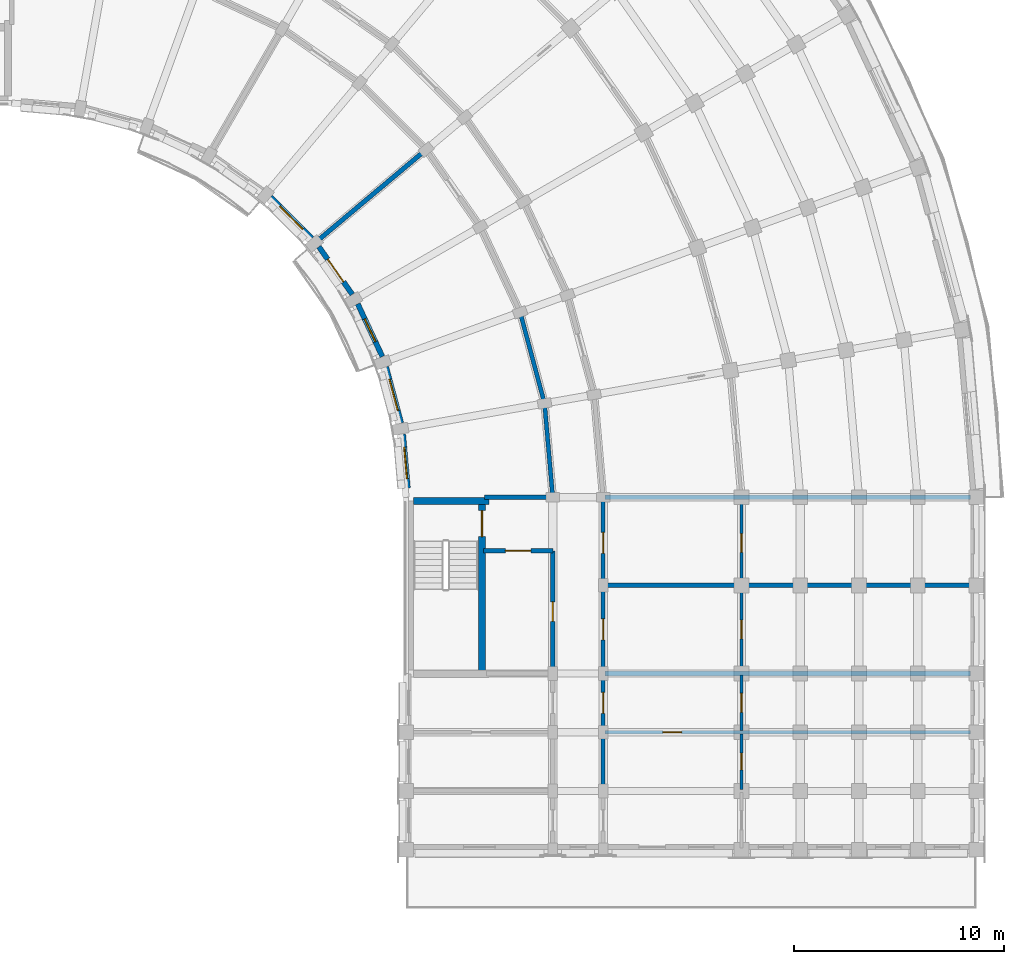
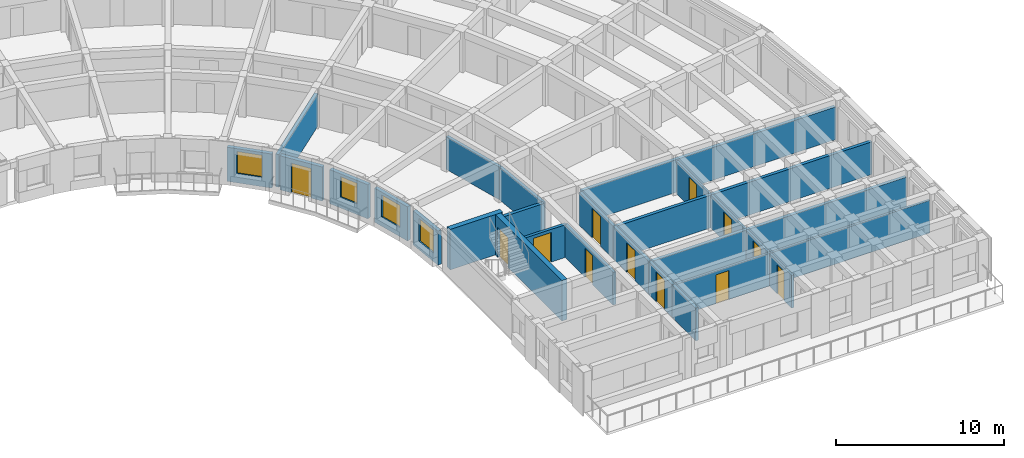
# One storey, part 34 of 54: 25 walls, 12 doors, 4 windows, 16 openings.
"""IFC4 building model written with IfcOpenShell, lengths in metres."""

import ifcopenshell
import ifcopenshell.guid

model = None  # the IFC model being written
_history = None  # IfcOwnerHistory: only IFC2X3 demands one
_inside = {}  # id of a spatial element -> (the spatial element, [elements in it])
_under = {}  # id of a project, library or spatial element -> (it, [spatial elements below it])
_declared = {}  # id of a project -> (the project, [libraries it declares])
_typed = {}  # id of a type object -> (the type object, [elements of that type])
_made_of = {}  # id of a material, layer set ... -> (it, [elements and type objects made of it])


def new_model(schema):
    """Start an empty IFC model of exactly this schema.

    Asked for "IFC4X3", IfcOpenShell would pick the latest addendum, in which some entities
    have other attributes; the version numbers below select the first issue.
    IFC2X3 requires an IfcOwnerHistory on every rooted entity: one is made here for all.
    """
    global model, _history
    if schema == "IFC4X3":
        model = ifcopenshell.file(schema_version=(4, 3, 0, 0))
    else:
        model = ifcopenshell.file(schema=schema)
    _inside.clear()
    _under.clear()
    _declared.clear()
    _typed.clear()
    _made_of.clear()
    _history = None
    if model.schema == "IFC2X3":
        org = make("IfcOrganization", Name="unknown")
        user = make(
            "IfcPersonAndOrganization",
            ThePerson=make("IfcPerson", FamilyName="unknown"),
            TheOrganization=org,
        )
        app = make(
            "IfcApplication",
            ApplicationDeveloper=org,
            Version="unknown",
            ApplicationFullName="unknown",
            ApplicationIdentifier="unknown",
        )
        _history = make(
            "IfcOwnerHistory",
            OwningUser=user,
            OwningApplication=app,
            ChangeAction="ADDED",
            CreationDate=0,
        )
    return model


def make(cls, **values):
    """One entity of the class cls with the attributes given. An attribute that is None is left unset."""
    return model.create_entity(
        cls, **{name: value for name, value in values.items() if value is not None}
    )


def rooted(cls, **values):
    """An entity with a GlobalId (a new one), such as an element, a storey or a relation."""
    return make(cls, GlobalId=ifcopenshell.guid.new(), OwnerHistory=_history, **values)


def si_unit(unit_type, name, prefix=None):
    """IfcSIUnit, for example si_unit("LENGTHUNIT", "METRE", prefix="MILLI")."""
    return make("IfcSIUnit", UnitType=unit_type, Prefix=prefix, Name=name)


def assignment(units):
    """IfcUnitAssignment: the units of a project."""
    return None if units is None else make("IfcUnitAssignment", Units=units)


def point(xyz):
    """IfcCartesianPoint."""
    return None if xyz is None else make("IfcCartesianPoint", Coordinates=xyz)


def direction(xyz):
    """IfcDirection."""
    return None if xyz is None else make("IfcDirection", DirectionRatios=xyz)


def frame(location, z_axis=None, x_axis=None):
    """IfcAxis2Placement3D, a coordinate frame: its origin and axes. An axis left out is left unset."""
    return make(
        "IfcAxis2Placement3D",
        Location=point(location),
        Axis=direction(z_axis),
        RefDirection=direction(x_axis),
    )


def frame_2d(location, x_axis=None):
    """IfcAxis2Placement2D, a coordinate frame in the plane: its origin and x axis."""
    return make(
        "IfcAxis2Placement2D", Location=point(location), RefDirection=direction(x_axis)
    )


def origin():
    """The frame at (0, 0, 0) with its axes left unset."""
    return frame((0.0, 0.0, 0.0))


def place(relative_to, where):
    """IfcLocalPlacement: puts the frame where relative to a parent placement (None: the world)."""
    return make(
        "IfcLocalPlacement", PlacementRelTo=relative_to, RelativePlacement=where
    )


def context(
    kind, dimensions, precision=None, world=None, true_north=None, identifier=None
):
    """IfcGeometricRepresentationContext, for example the 3D "Model" context."""
    return make(
        "IfcGeometricRepresentationContext",
        ContextIdentifier=identifier,
        ContextType=kind,
        CoordinateSpaceDimension=dimensions,
        Precision=precision,
        WorldCoordinateSystem=world,
        TrueNorth=true_north,
    )


def subcontext(parent, identifier, kind, view, scale=None):
    """IfcGeometricRepresentationSubContext, for example "Body" below "Model"."""
    return make(
        "IfcGeometricRepresentationSubContext",
        ContextIdentifier=identifier,
        ContextType=kind,
        ParentContext=parent,
        TargetScale=scale,
        TargetView=view,
    )


def project(units=None, contexts=None):
    """IfcProject with its units and contexts."""
    return rooted(
        "IfcProject",
        Name="project",
        RepresentationContexts=contexts,
        UnitsInContext=assignment(units),
    )


def spatial(cls, under=None, at=None, **own):
    """A site, building, storey or space (cls), placed at a placement, below another one or the project."""
    s = rooted(cls, ObjectPlacement=at, **own)
    if under is not None:
        _under.setdefault(under.id(), (under, []))[1].append(s)
    return s


def profile(cls, at=None, kind="AREA", **sizes):
    """A parametric profile (cls). Its sizes go by their IFC names, for example OverallWidth=200.0."""
    return make(cls, ProfileType=kind, Position=at, **sizes)


def rectangle(**sizes):
    """IfcRectangleProfileDef."""
    return profile("IfcRectangleProfileDef", **sizes)


def extrude(swept, where, along, depth):
    """IfcExtrudedAreaSolid: the profile swept, set in the frame where, extruded along a direction by depth."""
    return make(
        "IfcExtrudedAreaSolid",
        SweptArea=swept,
        Position=where,
        ExtrudedDirection=direction(along),
        Depth=depth,
    )


def shape(context_of_items, identifier, shape_type, items):
    """IfcShapeRepresentation: the items that make up one representation, for example the "Body"."""
    return make(
        "IfcShapeRepresentation",
        ContextOfItems=context_of_items,
        RepresentationIdentifier=identifier,
        RepresentationType=shape_type,
        Items=items,
    )


def material(Name=None, Category=None):
    """IfcMaterial."""
    return make("IfcMaterial", Name=Name, Category=Category)


def layer(
    of_material, thickness, ventilated=None, Name=None, Category=None, Priority=None
):
    """IfcMaterialLayer: one layer of a wall or slab, of a material (None: an air gap)."""
    return make(
        "IfcMaterialLayer",
        Material=of_material,
        LayerThickness=thickness,
        IsVentilated=ventilated,
        Name=Name,
        Category=Category,
        Priority=Priority,
    )


def layer_set(layers, Name=None):
    """IfcMaterialLayerSet."""
    return make("IfcMaterialLayerSet", MaterialLayers=layers, LayerSetName=Name)


def made_of(thing, what):
    """Note that an element or type object is made of a material, layer set ...; save() writes the relation."""
    if what is not None:
        _made_of.setdefault(what.id(), (what, []))[1].append(thing)
    return thing


def type_object(cls, material=None, **own):
    """A type object (cls), such as IfcWallType, which elements share."""
    return made_of(rooted(cls, **own), material)


def element(
    cls,
    number,
    at=None,
    inside=None,
    cuts=None,
    type_object=None,
    material=None,
    context=None,
    identifier="Body",
    shape_type=None,
    held_by="IfcProductDefinitionShape",
    body=None,
    shapes=None,
    **own,
):
    """One element of the class cls, such as IfcWall. Its Tag is "e" and its number.

    at: its placement. inside: the storey or other place that contains it. cuts: it is an
    opening in that element (IfcRelVoidsElement). A single representation is given by context,
    identifier, shape_type and body (its items); several are given by shapes. held_by: the class
    of the entity that holds the representations. save() writes the other relations.
    """
    e = rooted(cls, Tag="e%d" % number, ObjectPlacement=at, **own)
    if body is not None:
        shapes = [shape(context, identifier, shape_type, body)]
    if shapes is not None:
        e.Representation = make(held_by, Representations=shapes)
    if inside is not None:
        _inside.setdefault(inside.id(), (inside, []))[1].append(e)
    if cuts is not None:
        rooted(
            "IfcRelVoidsElement", RelatingBuildingElement=cuts, RelatedOpeningElement=e
        )
    if type_object is not None:
        _typed.setdefault(type_object.id(), (type_object, []))[1].append(e)
    return made_of(e, material)


def fill(opening, filler):
    """IfcRelFillsElement: the door or window that sits in an opening."""
    return rooted(
        "IfcRelFillsElement",
        RelatingOpeningElement=opening,
        RelatedBuildingElement=filler,
    )


def aggregate(whole, parts):
    """IfcRelAggregates: a whole, such as a stair, and the parts it consists of."""
    return rooted("IfcRelAggregates", RelatingObject=whole, RelatedObjects=parts)


def save(model, path):
    """Write the relations noted so far, then the file.

    IfcRelAggregates (storeys below a building ...), IfcRelContainedInSpatialStructure (elements
    in a storey), IfcRelDefinesByType, IfcRelAssociatesMaterial and IfcRelDeclares: one each for
    every whole, place, type object, material and project.
    """
    for whole, parts in _under.values():
        aggregate(whole, parts)
    for where, things in _inside.values():
        rooted(
            "IfcRelContainedInSpatialStructure",
            RelatedElements=things,
            RelatingStructure=where,
        )
    for kind, things in _typed.values():
        rooted("IfcRelDefinesByType", RelatedObjects=things, RelatingType=kind)
    for what, things in _made_of.values():
        rooted("IfcRelAssociatesMaterial", RelatedObjects=things, RelatingMaterial=what)
    for by, libraries in _declared.values():
        rooted("IfcRelDeclares", RelatingContext=by, RelatedDefinitions=libraries)
    model.write(path)


model = new_model("IFC4")

# Units and contexts
model_context = context("Model", 3, precision=1e-05, world=origin(), true_north=direction((0.0, 1.0)))
body_context = subcontext(model_context, "Body", "Model", "MODEL_VIEW")
ifc_project = project(units=[si_unit("LENGTHUNIT", "METRE"), si_unit("AREAUNIT", "SQUARE_METRE"), si_unit("VOLUMEUNIT", "CUBIC_METRE"), si_unit("PLANEANGLEUNIT", "RADIAN"), si_unit("MASSUNIT", "GRAM", prefix="KILO")], contexts=[model_context])

# Site, building, storey
site_placement = place(None, origin())
site = spatial("IfcSite", under=ifc_project, at=site_placement, CompositionType="ELEMENT")
building_placement = place(site_placement, origin())
building = spatial("IfcBuilding", under=site, at=building_placement, Name="Kiranvali Square Residences", CompositionType="ELEMENT")
storey_placement = place(building_placement, frame((0.0, 0.0, 27.60009765625)))
storey = spatial("IfcBuildingStorey", under=building, at=storey_placement, Name="L08", CompositionType="ELEMENT", Elevation=27.60009765625)

# Wall, opening, door
ifc_material_1 = material(Name="Autoclaved aerated concrete blockwork masonry", Category="masonry")
ifc_layer_1 = layer(ifc_material_1, 0.199951171875)
ifc_layer_set_1 = layer_set([ifc_layer_1], Name="Autoclaved aerated concrete blockwork masonry")
wall_type_1 = type_object("IfcWallType", Name="WL-COR-200", PredefinedType="STANDARD", material=ifc_layer_set_1)
wall_1_placement = place(storey_placement, frame((142.300048828125, 85.25, 0.0), z_axis=(0.0, 0.0, 1.0), x_axis=(1.0, 0.0, 0.0)))
wall_1 = element("IfcWall", 1, at=wall_1_placement, inside=storey, type_object=wall_type_1, Name="L08 architectural wall WL-L08-B-S3-V", PredefinedType="STANDARD", context=body_context, shape_type="SweptSolid", body=[
    extrude(rectangle(XDim=3.300048828125, YDim=0.199951171875, at=frame_2d((1.64990234375, 0.0))), origin(), (0.0, 0.0, 1.0), 2.371826171875),
])
opening_1_placement = place(wall_1_placement, frame((1.0400390625, 0.0, 0.0)))
opening_1 = element("IfcOpeningElement", 2, at=opening_1_placement, cuts=wall_1, Name="Opening FD-COR-60", PredefinedType="OPENING", context=body_context, shape_type="SweptSolid", body=[
    extrude(rectangle(XDim=1.219970703125, YDim=2.14990234375, at=frame_2d((0.60986328125, 1.074951171875))), frame((0.0, 0.10986328125, 0.0), z_axis=(0.0, -1.0, 0.0), x_axis=(1.0, 0.0, 0.0)), (0.0, 0.0, 1.0), 0.219970703125),
])
ifc_material_2 = material(Name="Fire-rated acoustic hardwood and mineral-core door assembly", Category="wood")
door_type_1 = type_object("IfcDoorType", Name="DR-FD60-1200", OperationType="NOTDEFINED", PredefinedType="DOOR", material=ifc_material_2)
door_1_placement = place(opening_1_placement, frame((1.219970703125, 0.0, 0.0), z_axis=(0.0, 0.0, 1.0), x_axis=(-1.0, 0.0, 0.0)))
door_1 = element("IfcDoor", 3, at=door_1_placement, inside=storey, type_object=door_type_1, Name="L08 door DR-L08-1460 (DR-FD60-1200)", OperationType="SINGLE_SWING_RIGHT", OverallHeight=2.14990234375, OverallWidth=1.219970703125, PredefinedType="DOOR", context=body_context, shape_type="SweptSolid", body=[
    extrude(rectangle(XDim=1.219970703125, YDim=2.14990234375, at=frame_2d((0.60986328125, 1.074951171875))), frame((0.0, 0.02490234375, 0.0), z_axis=(0.0, -1.0, 0.0), x_axis=(1.0, 0.0, 0.0)), (0.0, 0.0, 1.0), 0.050048828125),
])
fill(opening_1, door_1)

wall_2_placement = place(storey_placement, frame((145.60009765625, 85.25, 0.0), z_axis=(0.0, 0.0, 1.0), x_axis=(0.0, -1.0, 0.0)))
wall_2 = element("IfcWall", 4, at=wall_2_placement, inside=storey, type_object=wall_type_1, Name="L08 architectural wall WL-L08-B-S3-COR", PredefinedType="STANDARD", context=body_context, shape_type="SweptSolid", body=[
    extrude(rectangle(XDim=5.800048828125, YDim=0.199951171875, at=frame_2d((2.89990234375, 0.0))), origin(), (0.0, 0.0, 1.0), 2.371826171875),
])
opening_2_placement = place(wall_2_placement, frame((2.43994140625, 0.0, 0.0)))
opening_2 = element("IfcOpeningElement", 5, at=opening_2_placement, cuts=wall_2, Name="Opening FD-SVC-120", PredefinedType="OPENING", context=body_context, shape_type="SweptSolid", body=[
    extrude(rectangle(XDim=0.919921875, YDim=2.10009765625, at=frame_2d((0.4599609375, 1.050048828125))), frame((0.0, 0.10986328125, 0.0), z_axis=(0.0, -1.0, 0.0), x_axis=(1.0, 0.0, 0.0)), (0.0, 0.0, 1.0), 0.219970703125),
])
door_type_2 = type_object("IfcDoorType", Name="DR-SVC-900", OperationType="NOTDEFINED", PredefinedType="DOOR", material=ifc_material_2)
door_2_placement = place(opening_2_placement, origin())
door_2 = element("IfcDoor", 6, at=door_2_placement, inside=storey, type_object=door_type_2, Name="L08 door DR-L08-1461 (DR-SVC-900)", OperationType="SINGLE_SWING_LEFT", OverallHeight=2.10009765625, OverallWidth=0.919921875, PredefinedType="DOOR", context=body_context, shape_type="SweptSolid", body=[
    extrude(rectangle(XDim=0.919921875, YDim=2.10009765625, at=frame_2d((0.4599609375, 1.050048828125))), frame((0.0, 0.02490234375, 0.0), z_axis=(0.0, -1.0, 0.0), x_axis=(1.0, 0.0, 0.0)), (0.0, 0.0, 1.0), 0.050048828125),
])
fill(opening_2, door_2)

# Walls
wall_3_placement = place(storey_placement, frame((144.044189453125, 96.6240234375, 0.0), z_axis=(0.0, 0.0, 1.0), x_axis=(0.258787642463, -0.965934240054, 0.0)))
element("IfcWall", 7, at=wall_3_placement, inside=storey, type_object=wall_type_1, Name="L08 architectural wall WL-L08-B-CCI-7", PredefinedType="STANDARD", context=body_context, shape_type="SweptSolid", body=[
    extrude(rectangle(XDim=4.497314453125, YDim=0.199951171875, at=frame_2d((2.24853515625, 0.0))), origin(), (0.0, 0.0, 1.0), 2.371826171875),
])
wall_4_placement = place(storey_placement, frame((145.2080078125, 92.280029296875, 0.0), z_axis=(0.0, 0.0, 1.0), x_axis=(0.087187153726, -0.996191949488, 0.0)))
element("IfcWall", 8, at=wall_4_placement, inside=storey, type_object=wall_type_1, Name="L08 architectural wall WL-L08-B-CCI-8", PredefinedType="STANDARD", context=body_context, shape_type="SweptSolid", body=[
    extrude(rectangle(XDim=4.4970703125, YDim=0.199951171875, at=frame_2d((2.24853515625, 0.0))), origin(), (0.0, 0.0, 1.0), 2.371826171875),
])

# Wall, opening, door
wall_5_placement = place(storey_placement, frame((148.0, 87.64990234375, 0.0), z_axis=(0.0, 0.0, 1.0), x_axis=(0.0, -1.0, 0.0)))
wall_5 = element("IfcWall", 9, at=wall_5_placement, inside=storey, type_object=wall_type_1, Name="L08 architectural wall WL-L08-B-A2CF-C0", PredefinedType="STANDARD", context=body_context, shape_type="SweptSolid", body=[
    extrude(rectangle(XDim=4.0498046875, YDim=0.199951171875, at=frame_2d((2.02490234375, 0.0))), origin(), (0.0, 0.0, 1.0), 2.371826171875),
])
opening_3_placement = place(wall_5_placement, frame((1.52490234375, 0.0, 0.0)))
opening_3 = element("IfcOpeningElement", 10, at=opening_3_placement, cuts=wall_5, Name="Opening FD-APT-60", PredefinedType="OPENING", context=body_context, shape_type="SweptSolid", body=[
    extrude(rectangle(XDim=1.0, YDim=2.14990234375, at=frame_2d((0.5, 1.074951171875))), frame((0.0, 0.10986328125, 0.0), z_axis=(0.0, -1.0, 0.0), x_axis=(1.0, 0.0, 0.0)), (0.0, 0.0, 1.0), 0.219970703125),
])
door_type_3 = type_object("IfcDoorType", Name="DR-APT-1000", OperationType="NOTDEFINED", PredefinedType="DOOR", material=ifc_material_2)
door_3_placement = place(opening_3_placement, frame((1.0, 0.0, 0.0), z_axis=(0.0, 0.0, 1.0), x_axis=(-1.0, 0.0, 0.0)))
door_3 = element("IfcDoor", 11, at=door_3_placement, inside=storey, type_object=door_type_3, Name="L08 door DR-L08-1500 (DR-APT-1000)", OperationType="SINGLE_SWING_RIGHT", OverallHeight=2.14990234375, OverallWidth=1.0, PredefinedType="DOOR", context=body_context, shape_type="SweptSolid", body=[
    extrude(rectangle(XDim=1.0, YDim=2.14990234375, at=frame_2d((0.5, 1.074951171875))), frame((0.0, 0.02490234375, 0.0), z_axis=(0.0, -1.0, 0.0), x_axis=(1.0, 0.0, 0.0)), (0.0, 0.0, 1.0), 0.050048828125),
])
fill(opening_3, door_3)

wall_6_placement = place(storey_placement, frame((148.0, 83.60009765625, 0.0), z_axis=(0.0, 0.0, 1.0), x_axis=(0.0, -1.0, 0.0)))
wall_6 = element("IfcWall", 12, at=wall_6_placement, inside=storey, type_object=wall_type_1, Name="L08 architectural wall WL-L08-B-A2CF-C1", PredefinedType="STANDARD", context=body_context, shape_type="SweptSolid", body=[
    extrude(rectangle(XDim=4.2001953125, YDim=0.199951171875, at=frame_2d((2.10009765625, 0.0))), origin(), (0.0, 0.0, 1.0), 2.371826171875),
])
opening_4_placement = place(wall_6_placement, frame((1.60009765625, 0.0, 0.0)))
opening_4 = element("IfcOpeningElement", 13, at=opening_4_placement, cuts=wall_6, Name="Opening FD-APT-60", PredefinedType="OPENING", context=body_context, shape_type="SweptSolid", body=[
    extrude(rectangle(XDim=1.0, YDim=2.14990234375, at=frame_2d((0.5, 1.074951171875))), frame((0.0, 0.10986328125, 0.0), z_axis=(0.0, -1.0, 0.0), x_axis=(1.0, 0.0, 0.0)), (0.0, 0.0, 1.0), 0.219970703125),
])
door_4_placement = place(opening_4_placement, frame((1.0, 0.0, 0.0), z_axis=(0.0, 0.0, 1.0), x_axis=(-1.0, 0.0, 0.0)))
door_4 = element("IfcDoor", 14, at=door_4_placement, inside=storey, type_object=door_type_3, Name="L08 door DR-L08-1502 (DR-APT-1000)", OperationType="SINGLE_SWING_RIGHT", OverallHeight=2.14990234375, OverallWidth=1.0, PredefinedType="DOOR", context=body_context, shape_type="SweptSolid", body=[
    extrude(rectangle(XDim=1.0, YDim=2.14990234375, at=frame_2d((0.5, 1.074951171875))), frame((0.0, 0.02490234375, 0.0), z_axis=(0.0, -1.0, 0.0), x_axis=(1.0, 0.0, 0.0)), (0.0, 0.0, 1.0), 0.050048828125),
])
fill(opening_4, door_4)

wall_7_placement = place(storey_placement, frame((148.0, 79.39990234375, 0.0), z_axis=(0.0, 0.0, 1.0), x_axis=(0.0, -1.0, 0.0)))
wall_7 = element("IfcWall", 15, at=wall_7_placement, inside=storey, type_object=wall_type_1, Name="L08 architectural wall WL-L08-B-A2CO-0", PredefinedType="STANDARD", context=body_context, shape_type="SweptSolid", body=[
    extrude(rectangle(XDim=2.7998046875, YDim=0.199951171875, at=frame_2d((1.39990234375, 0.0))), origin(), (0.0, 0.0, 1.0), 2.371826171875),
])
opening_5_placement = place(wall_7_placement, frame((0.89990234375, 0.0, 0.0)))
opening_5 = element("IfcOpeningElement", 16, at=opening_5_placement, cuts=wall_7, Name="Opening FD-APT-60", PredefinedType="OPENING", context=body_context, shape_type="SweptSolid", body=[
    extrude(rectangle(XDim=1.0, YDim=2.14990234375, at=frame_2d((0.5, 1.074951171875))), frame((0.0, 0.10986328125, 0.0), z_axis=(0.0, -1.0, 0.0), x_axis=(1.0, 0.0, 0.0)), (0.0, 0.0, 1.0), 0.219970703125),
])
door_5_placement = place(opening_5_placement, frame((1.0, 0.0, 0.0), z_axis=(0.0, 0.0, 1.0), x_axis=(-1.0, 0.0, 0.0)))
door_5 = element("IfcDoor", 17, at=door_5_placement, inside=storey, type_object=door_type_3, Name="L08 door DR-L08-1506 (DR-APT-1000)", OperationType="SINGLE_SWING_RIGHT", OverallHeight=2.14990234375, OverallWidth=1.0, PredefinedType="DOOR", context=body_context, shape_type="SweptSolid", body=[
    extrude(rectangle(XDim=1.0, YDim=2.14990234375, at=frame_2d((0.5, 1.074951171875))), frame((0.0, 0.02490234375, 0.0), z_axis=(0.0, -1.0, 0.0), x_axis=(1.0, 0.0, 0.0)), (0.0, 0.0, 1.0), 0.050048828125),
])
fill(opening_5, door_5)

# Walls
wall_8_placement = place(storey_placement, frame((148.0, 76.60009765625, 0.0), z_axis=(0.0, 0.0, 1.0), x_axis=(0.0, -1.0, 0.0)))
element("IfcWall", 18, at=wall_8_placement, inside=storey, type_object=wall_type_1, Name="L08 architectural wall WL-L08-B-A2CO-1", PredefinedType="STANDARD", context=body_context, shape_type="SweptSolid", body=[
    extrude(rectangle(XDim=2.800048828125, YDim=0.199951171875, at=frame_2d((1.39990234375, 0.0))), origin(), (0.0, 0.0, 1.0), 2.371826171875),
])
ifc_layer_2 = layer(ifc_material_1, 0.219970703125)
ifc_layer_set_2 = layer_set([ifc_layer_2], Name="Autoclaved aerated concrete blockwork masonry")
wall_type_2 = type_object("IfcWallType", Name="WL-DEM-220", PredefinedType="STANDARD", material=ifc_layer_set_2)
wall_9_placement = place(storey_placement, frame((134.354736328125, 100.012939453125, 0.0), z_axis=(0.0, 0.0, 1.0), x_axis=(0.766046761698, 0.642784846501, 0.0)))
element("IfcWall", 19, at=wall_9_placement, inside=storey, type_object=wall_type_2, Name="L08 architectural wall WL-L08-B-RADI-5", PredefinedType="STANDARD", context=body_context, shape_type="SweptSolid", body=[
    extrude(rectangle(XDim=6.75, YDim=0.219970703125, at=frame_2d((3.375, 0.0))), origin(), (0.0, 0.0, 1.0), 2.371826171875),
])
wall_10_placement = place(storey_placement, frame((142.35009765625, 87.800048828125, 0.0), z_axis=(0.0, 0.0, 1.0), x_axis=(1.0, 0.0, 0.0)))
element("IfcWall", 20, at=wall_10_placement, inside=storey, type_object=wall_type_2, Name="L08 architectural wall WL-L08-B-RADI-9", PredefinedType="STANDARD", context=body_context, shape_type="SweptSolid", body=[
    extrude(rectangle(XDim=3.199951171875, YDim=0.219970703125, at=frame_2d((1.60009765625, 0.0))), origin(), (0.0, 0.0, 1.0), 2.371826171875),
])
wall_11_placement = place(storey_placement, frame((148.10009765625, 87.800048828125, 0.0), z_axis=(0.0, 0.0, 1.0), x_axis=(1.0, 0.0, 0.0)))
element("IfcWall", 21, at=wall_11_placement, inside=storey, type_object=wall_type_2, Name="L08 architectural wall WL-L08-B-RADO-9", PredefinedType="STANDARD", context=body_context, shape_type="SweptSolid", body=[
    extrude(rectangle(XDim=17.419921875, YDim=0.219970703125, at=frame_2d((8.7099609375, 0.0))), origin(), (0.0, 0.0, 1.0), 2.371826171875),
])
wall_12_placement = place(storey_placement, frame((148.050048828125, 83.60009765625, 0.0), z_axis=(0.0, 0.0, 1.0), x_axis=(1.0, 0.0, 0.0)))
element("IfcWall", 22, at=wall_12_placement, inside=storey, type_object=wall_type_2, Name="L08 architectural wall WL-L08-B-A2CF-MID", PredefinedType="STANDARD", context=body_context, shape_type="SweptSolid", body=[
    extrude(rectangle(XDim=17.530029296875, YDim=0.219970703125, at=frame_2d((8.76513671875, 0.0))), origin(), (0.0, 0.0, 1.0), 2.371826171875),
])
wall_13_placement = place(storey_placement, frame((148.10009765625, 79.39990234375, 0.0), z_axis=(0.0, 0.0, 1.0), x_axis=(1.0, 0.0, 0.0)))
element("IfcWall", 23, at=wall_13_placement, inside=storey, type_object=wall_type_2, Name="L08 architectural wall WL-L08-B-A2TO-0", PredefinedType="STANDARD", context=body_context, shape_type="SweptSolid", body=[
    extrude(rectangle(XDim=17.419921875, YDim=0.219970703125, at=frame_2d((8.7099609375, 0.0))), origin(), (0.0, 0.0, 1.0), 2.371826171875),
])

# Wall, opening, window
ifc_material_3 = material(Name="Breathable lime-rendered clay brick masonry", Category="masonry")
ifc_layer_3 = layer(ifc_material_3, 0.25)
ifc_layer_set_3 = layer_set([ifc_layer_3], Name="Breathable lime-rendered clay brick masonry")
wall_type_3 = type_object("IfcWallType", Name="WL-EXT-250", PredefinedType="STANDARD", material=ifc_layer_set_3)
wall_14_placement = place(storey_placement, frame((132.152099609375, 102.11083984375, 0.0), z_axis=(0.0, 0.0, 1.0), x_axis=(0.707106781187, -0.707106781187, 0.0)))
wall_14 = element("IfcWall", 24, at=wall_14_placement, inside=storey, type_object=wall_type_3, Name="L08 exterior wall B-L08-GDN-04", PredefinedType="STANDARD", context=body_context, shape_type="SweptSolid", body=[
    extrude(rectangle(XDim=2.77001953125, YDim=0.25, at=frame_2d((1.385009765625, 0.0))), origin(), (0.0, 0.0, 1.0), 2.471923828125),
])
opening_6_placement = place(wall_14_placement, frame((0.60986328125, 0.0, 0.672119140625)))
opening_6 = element("IfcOpeningElement", 25, at=opening_6_placement, cuts=wall_14, Name="Opening W-18", PredefinedType="OPENING", context=body_context, shape_type="SweptSolid", body=[
    extrude(rectangle(XDim=1.550048828125, YDim=1.60009765625, at=frame_2d((0.77490234375, 0.800048828125))), frame((0.0, 0.135009765625, 0.0), z_axis=(0.0, -1.0, 0.0), x_axis=(1.0, 0.0, 0.0)), (0.0, 0.0, 1.0), 0.27001953125),
])
ifc_material_4 = material(Name="Solar-control low-e double glazing", Category="glass")
window_type_1 = type_object("IfcWindowType", Name="WIN-GDN-1550x1600", PartitioningType="DOUBLE_PANEL_VERTICAL", PredefinedType="WINDOW", material=ifc_material_4)
window_1_placement = place(opening_6_placement, origin())
window_1 = element("IfcWindow", 26, at=window_1_placement, inside=storey, type_object=window_type_1, Name="L08 recessed window B-L08-GDN-04", OverallHeight=1.60009765625, OverallWidth=1.550048828125, PartitioningType="DOUBLE_PANEL_VERTICAL", PredefinedType="WINDOW", context=body_context, shape_type="SweptSolid", body=[
    extrude(rectangle(XDim=1.550048828125, YDim=1.60009765625, at=frame_2d((0.77490234375, 0.800048828125))), frame((0.0, 0.030029296875, 0.0), z_axis=(0.0, -1.0, 0.0), x_axis=(1.0, 0.0, 0.0)), (0.0, 0.0, 1.0), 0.06005859375),
])
fill(opening_6, window_1)

# Wall, opening, door
wall_15_placement = place(storey_placement, frame((134.449462890625, 99.748291015625, 0.0), z_axis=(0.0, 0.0, 1.0), x_axis=(0.573633885053, -0.819111815273, 0.0)))
wall_15 = element("IfcWall", 27, at=wall_15_placement, inside=storey, type_object=wall_type_3, Name="L08 exterior wall B-L08-GDN-05", PredefinedType="STANDARD", context=body_context, shape_type="SweptSolid", body=[
    extrude(rectangle(XDim=2.769775390625, YDim=0.25, at=frame_2d((1.384765625, 0.0))), origin(), (0.0, 0.0, 1.0), 2.471923828125),
])
opening_7_placement = place(wall_15_placement, frame((0.724853515625, 0.0, 0.0)))
opening_7 = element("IfcOpeningElement", 28, at=opening_7_placement, cuts=wall_15, Name="Opening ED-BAL-3", PredefinedType="OPENING", context=body_context, shape_type="SweptSolid", body=[
    extrude(rectangle(XDim=1.320068359375, YDim=2.14990234375, at=frame_2d((0.66015625, 1.074951171875))), frame((0.0, 0.135009765625, 0.0), z_axis=(0.0, -1.0, 0.0), x_axis=(1.0, 0.0, 0.0)), (0.0, 0.0, 1.0), 0.27001953125),
])
ifc_material_5 = material(Name="Anodised bronze aluminium framing", Category="aluminium")
door_type_4 = type_object("IfcDoorType", Name="DR-BAL-1320", OperationType="NOTDEFINED", PredefinedType="DOOR", material=ifc_material_5)
door_6_placement = place(opening_7_placement, frame((1.320068359375, 0.0, 0.0), z_axis=(0.0, 0.0, 1.0), x_axis=(-1.0, 0.0, 0.0)))
door_6 = element("IfcDoor", 29, at=door_6_placement, inside=storey, type_object=door_type_4, Name="L08 balcony terrace door", OperationType="SINGLE_SWING_LEFT", OverallHeight=2.14990234375, OverallWidth=1.320068359375, PredefinedType="DOOR", context=body_context, shape_type="SweptSolid", body=[
    extrude(rectangle(XDim=1.320068359375, YDim=2.14990234375, at=frame_2d((0.66015625, 1.074951171875))), frame((0.0, 0.02490234375, 0.0), z_axis=(0.0, -1.0, 0.0), x_axis=(1.0, 0.0, 0.0)), (0.0, 0.0, 1.0), 0.050048828125),
])
fill(opening_7, door_6)

# Wall, opening, window
wall_16_placement = place(storey_placement, frame((136.3017578125, 97.02294921875, 0.0), z_axis=(0.0, 0.0, 1.0), x_axis=(0.422649007088, -0.906293449611, 0.0)))
wall_16 = element("IfcWall", 30, at=wall_16_placement, inside=storey, type_object=wall_type_3, Name="L08 exterior wall B-L08-GDN-06", PredefinedType="STANDARD", context=body_context, shape_type="SweptSolid", body=[
    extrude(rectangle(XDim=2.769775390625, YDim=0.25, at=frame_2d((1.384765625, 0.0))), origin(), (0.0, 0.0, 1.0), 2.471923828125),
])
opening_8_placement = place(wall_16_placement, frame((0.784912109375, 0.0, 0.77197265625)))
opening_8 = element("IfcOpeningElement", 31, at=opening_8_placement, cuts=wall_16, Name="Opening W-06", PredefinedType="OPENING", context=body_context, shape_type="SweptSolid", body=[
    extrude(rectangle(XDim=1.199951171875, YDim=1.5, at=frame_2d((0.60009765625, 0.75))), frame((0.0, 0.135009765625, 0.0), z_axis=(0.0, -1.0, 0.0), x_axis=(1.0, 0.0, 0.0)), (0.0, 0.0, 1.0), 0.27001953125),
])
window_type_2 = type_object("IfcWindowType", Name="WIN-RES-1200x1500", PartitioningType="SINGLE_PANEL", PredefinedType="WINDOW", material=ifc_material_4)
window_2_placement = place(opening_8_placement, origin())
window_2 = element("IfcWindow", 32, at=window_2_placement, inside=storey, type_object=window_type_2, Name="L08 recessed window B-L08-GDN-06", OverallHeight=1.5, OverallWidth=1.199951171875, PartitioningType="SINGLE_PANEL", PredefinedType="WINDOW", context=body_context, shape_type="SweptSolid", body=[
    extrude(rectangle(XDim=1.199951171875, YDim=1.5, at=frame_2d((0.60009765625, 0.75))), frame((0.0, 0.030029296875, 0.0), z_axis=(0.0, -1.0, 0.0), x_axis=(1.0, 0.0, 0.0)), (0.0, 0.0, 1.0), 0.06005859375),
])
fill(opening_8, window_2)

wall_17_placement = place(storey_placement, frame((137.652587890625, 94.017333984375, 0.0), z_axis=(0.0, 0.0, 1.0), x_axis=(0.25878161084, -0.965935855992, 0.0)))
wall_17 = element("IfcWall", 33, at=wall_17_placement, inside=storey, type_object=wall_type_3, Name="L08 exterior wall B-L08-GDN-07", PredefinedType="STANDARD", context=body_context, shape_type="SweptSolid", body=[
    extrude(rectangle(XDim=2.769775390625, YDim=0.25, at=frame_2d((1.384765625, 0.0))), origin(), (0.0, 0.0, 1.0), 2.471923828125),
])
opening_9_placement = place(wall_17_placement, frame((0.60986328125, 0.0, 0.672119140625)))
opening_9 = element("IfcOpeningElement", 34, at=opening_9_placement, cuts=wall_17, Name="Opening W-18", PredefinedType="OPENING", context=body_context, shape_type="SweptSolid", body=[
    extrude(rectangle(XDim=1.550048828125, YDim=1.60009765625, at=frame_2d((0.77490234375, 0.800048828125))), frame((0.0, 0.135009765625, 0.0), z_axis=(0.0, -1.0, 0.0), x_axis=(1.0, 0.0, 0.0)), (0.0, 0.0, 1.0), 0.27001953125),
])
window_3_placement = place(opening_9_placement, origin())
window_3 = element("IfcWindow", 35, at=window_3_placement, inside=storey, type_object=window_type_1, Name="L08 recessed window B-L08-GDN-07", OverallHeight=1.60009765625, OverallWidth=1.550048828125, PartitioningType="DOUBLE_PANEL_VERTICAL", PredefinedType="WINDOW", context=body_context, shape_type="SweptSolid", body=[
    extrude(rectangle(XDim=1.550048828125, YDim=1.60009765625, at=frame_2d((0.77490234375, 0.800048828125))), frame((0.0, 0.030029296875, 0.0), z_axis=(0.0, -1.0, 0.0), x_axis=(1.0, 0.0, 0.0)), (0.0, 0.0, 1.0), 0.06005859375),
])
fill(opening_9, window_3)

wall_18_placement = place(storey_placement, frame((138.4609375, 90.82275390625, 0.0), z_axis=(0.0, 0.0, 1.0), x_axis=(0.087229084652, -0.996188278786, 0.0)))
wall_18 = element("IfcWall", 36, at=wall_18_placement, inside=storey, type_object=wall_type_3, Name="L08 exterior wall B-L08-GDN-08", PredefinedType="STANDARD", context=body_context, shape_type="SweptSolid", body=[
    extrude(rectangle(XDim=2.583251953125, YDim=0.25, at=frame_2d((1.29150390625, 0.0))), origin(), (0.0, 0.0, 1.0), 2.471923828125),
])
opening_10_placement = place(wall_18_placement, frame((0.635009765625, 0.0, 0.6220703125)))
opening_10 = element("IfcOpeningElement", 37, at=opening_10_placement, cuts=wall_18, Name="Opening W-05", PredefinedType="OPENING", context=body_context, shape_type="SweptSolid", body=[
    extrude(rectangle(XDim=1.5, YDim=1.64990234375, at=frame_2d((0.75, 0.824951171875))), frame((0.0, 0.135009765625, 0.0), z_axis=(0.0, -1.0, 0.0), x_axis=(1.0, 0.0, 0.0)), (0.0, 0.0, 1.0), 0.27001953125),
])
window_type_3 = type_object("IfcWindowType", Name="WIN-RES-1500x1650", PartitioningType="DOUBLE_PANEL_VERTICAL", PredefinedType="WINDOW", material=ifc_material_4)
window_4_placement = place(opening_10_placement, origin())
window_4 = element("IfcWindow", 38, at=window_4_placement, inside=storey, type_object=window_type_3, Name="L08 recessed window B-L08-GDN-08", OverallHeight=1.64990234375, OverallWidth=1.5, PartitioningType="DOUBLE_PANEL_VERTICAL", PredefinedType="WINDOW", context=body_context, shape_type="SweptSolid", body=[
    extrude(rectangle(XDim=1.5, YDim=1.64990234375, at=frame_2d((0.75, 0.824951171875))), frame((0.0, 0.030029296875, 0.0), z_axis=(0.0, -1.0, 0.0), x_axis=(1.0, 0.0, 0.0)), (0.0, 0.0, 1.0), 0.06005859375),
])
fill(opening_10, window_4)

# Wall, opening, door
ifc_material_6 = material(Name="Acoustic gypsum board drylined partition", Category="gypsum")
ifc_layer_4 = layer(ifc_material_6, 0.14990234375)
ifc_layer_set_4 = layer_set([ifc_layer_4], Name="Acoustic gypsum board drylined partition")
wall_type_4 = type_object("IfcWallType", Name="WL-PRT-150", PredefinedType="PARTITIONING", material=ifc_layer_set_4)
wall_19_placement = place(storey_placement, frame((154.60009765625, 87.570068359375, 0.0), z_axis=(0.0, 0.0, 1.0), x_axis=(0.0, -1.0, 0.0)))
wall_19 = element("IfcWall", 39, at=wall_19_placement, inside=storey, type_object=wall_type_4, Name="L08 architectural wall WL-L08-B-A2CF-SP0", PredefinedType="PARTITIONING", context=body_context, shape_type="SweptSolid", body=[
    extrude(rectangle(XDim=3.89013671875, YDim=0.14990234375, at=frame_2d((1.945068359375, 0.0))), origin(), (0.0, 0.0, 1.0), 2.371826171875),
])
opening_11_placement = place(wall_19_placement, frame((1.4951171875, 0.0, 0.0)))
opening_11 = element("IfcOpeningElement", 40, at=opening_11_placement, cuts=wall_19, Name="Opening ID-1", PredefinedType="OPENING", context=body_context, shape_type="SweptSolid", body=[
    extrude(rectangle(XDim=0.89990234375, YDim=2.10009765625, at=frame_2d((0.449951171875, 1.050048828125))), frame((0.0, 0.0849609375, 0.0), z_axis=(0.0, -1.0, 0.0), x_axis=(1.0, 0.0, 0.0)), (0.0, 0.0, 1.0), 0.169921875),
])
ifc_material_7 = material(Name="Solid seasoned teak hardwood joinery", Category="wood")
door_type_5 = type_object("IfcDoorType", Name="DR-INT-900", OperationType="NOTDEFINED", PredefinedType="DOOR", material=ifc_material_7)
door_7_placement = place(opening_11_placement, origin())
door_7 = element("IfcDoor", 41, at=door_7_placement, inside=storey, type_object=door_type_5, Name="L08 door DR-L08-1501 (DR-INT-900)", OperationType="SINGLE_SWING_LEFT", OverallHeight=2.10009765625, OverallWidth=0.89990234375, PredefinedType="DOOR", context=body_context, shape_type="SweptSolid", body=[
    extrude(rectangle(XDim=0.89990234375, YDim=2.10009765625, at=frame_2d((0.449951171875, 1.050048828125))), frame((0.0, 0.02490234375, 0.0), z_axis=(0.0, -1.0, 0.0), x_axis=(1.0, 0.0, 0.0)), (0.0, 0.0, 1.0), 0.050048828125),
])
fill(opening_11, door_7)

wall_20_placement = place(storey_placement, frame((154.60009765625, 83.52001953125, 0.0), z_axis=(0.0, 0.0, 1.0), x_axis=(0.0, -1.0, 0.0)))
wall_20 = element("IfcWall", 42, at=wall_20_placement, inside=storey, type_object=wall_type_4, Name="L08 architectural wall WL-L08-B-A2CF-SP1", PredefinedType="PARTITIONING", context=body_context, shape_type="SweptSolid", body=[
    extrude(rectangle(XDim=4.0400390625, YDim=0.14990234375, at=frame_2d((2.02001953125, 0.0))), origin(), (0.0, 0.0, 1.0), 2.371826171875),
])
opening_12_placement = place(wall_20_placement, frame((1.570068359375, 0.0, 0.0)))
opening_12 = element("IfcOpeningElement", 43, at=opening_12_placement, cuts=wall_20, Name="Opening ID-1", PredefinedType="OPENING", context=body_context, shape_type="SweptSolid", body=[
    extrude(rectangle(XDim=0.89990234375, YDim=2.10009765625, at=frame_2d((0.449951171875, 1.050048828125))), frame((0.0, 0.0849609375, 0.0), z_axis=(0.0, -1.0, 0.0), x_axis=(1.0, 0.0, 0.0)), (0.0, 0.0, 1.0), 0.169921875),
])
door_8_placement = place(opening_12_placement, origin())
door_8 = element("IfcDoor", 44, at=door_8_placement, inside=storey, type_object=door_type_5, Name="L08 door DR-L08-1503 (DR-INT-900)", OperationType="SINGLE_SWING_LEFT", OverallHeight=2.10009765625, OverallWidth=0.89990234375, PredefinedType="DOOR", context=body_context, shape_type="SweptSolid", body=[
    extrude(rectangle(XDim=0.89990234375, YDim=2.10009765625, at=frame_2d((0.449951171875, 1.050048828125))), frame((0.0, 0.02490234375, 0.0), z_axis=(0.0, -1.0, 0.0), x_axis=(1.0, 0.0, 0.0)), (0.0, 0.0, 1.0), 0.050048828125),
])
fill(opening_12, door_8)

wall_21_placement = place(storey_placement, frame((148.10009765625, 76.60009765625, 0.0), z_axis=(0.0, 0.0, 1.0), x_axis=(1.0, 0.0, 0.0)))
wall_21 = element("IfcWall", 45, at=wall_21_placement, inside=storey, type_object=wall_type_4, Name="L08 architectural wall WL-L08-B-A2TO-1", PredefinedType="PARTITIONING", context=body_context, shape_type="SweptSolid", body=[
    extrude(rectangle(XDim=17.419921875, YDim=0.14990234375, at=frame_2d((8.7099609375, 0.0))), origin(), (0.0, 0.0, 1.0), 2.371826171875),
])
opening_13_placement = place(wall_21_placement, frame((2.75, 0.0, 0.0)))
opening_13 = element("IfcOpeningElement", 46, at=opening_13_placement, cuts=wall_21, Name="Opening ID-1", PredefinedType="OPENING", context=body_context, shape_type="SweptSolid", body=[
    extrude(rectangle(XDim=0.89990234375, YDim=2.10009765625, at=frame_2d((0.449951171875, 1.050048828125))), frame((0.0, 0.0849609375, 0.0), z_axis=(0.0, -1.0, 0.0), x_axis=(1.0, 0.0, 0.0)), (0.0, 0.0, 1.0), 0.169921875),
])
door_9_placement = place(opening_13_placement, origin())
door_9 = element("IfcDoor", 47, at=door_9_placement, inside=storey, type_object=door_type_5, Name="L08 door DR-L08-1509 (DR-INT-900)", OperationType="SINGLE_SWING_LEFT", OverallHeight=2.10009765625, OverallWidth=0.89990234375, PredefinedType="DOOR", context=body_context, shape_type="SweptSolid", body=[
    extrude(rectangle(XDim=0.89990234375, YDim=2.10009765625, at=frame_2d((0.449951171875, 1.050048828125))), frame((0.0, 0.02490234375, 0.0), z_axis=(0.0, -1.0, 0.0), x_axis=(1.0, 0.0, 0.0)), (0.0, 0.0, 1.0), 0.050048828125),
])
fill(opening_13, door_9)

ifc_material_8 = material(Name="Concrete M45 (45 MPa)", Category="concrete")
ifc_layer_5 = layer(ifc_material_8, 0.320068359375)
ifc_layer_set_5 = layer_set([ifc_layer_5], Name="Concrete M45 (45 MPa)")
wall_type_5 = type_object("IfcWallType", Name="WL-SHR-320", PredefinedType="SHEAR", material=ifc_layer_set_5)
wall_22_placement = place(storey_placement, frame((142.22509765625, 87.449951171875, 0.0), z_axis=(0.0, 0.0, 1.0), x_axis=(0.0, -1.0, 0.0)))
wall_22 = element("IfcWall", 48, at=wall_22_placement, inside=storey, type_object=wall_type_5, Name="Block B core shear wall SW-B3-IN-L08", PredefinedType="SHEAR", context=body_context, shape_type="SweptSolid", body=[
    extrude(rectangle(XDim=7.89990234375, YDim=0.35009765625, at=frame_2d((3.949951171875, 0.0))), origin(), (0.0, 0.0, 1.0), 2.929931640625),
])
opening_14_placement = place(wall_22_placement, frame((0.280029296875, 0.0, 0.0)))
opening_14 = element("IfcOpeningElement", 49, at=opening_14_placement, cuts=wall_22, Name="Opening FD-ST-120", PredefinedType="OPENING", context=body_context, shape_type="SweptSolid", body=[
    extrude(rectangle(XDim=1.239990234375, YDim=2.14990234375, at=frame_2d((0.6201171875, 1.074951171875))), frame((0.0, 0.18505859375, 0.0), z_axis=(0.0, -1.0, 0.0), x_axis=(1.0, 0.0, 0.0)), (0.0, 0.0, 1.0), 0.3701171875),
])
door_type_6 = type_object("IfcDoorType", Name="DR-FD120-1200", OperationType="NOTDEFINED", PredefinedType="DOOR", material=ifc_material_2)
door_10_placement = place(opening_14_placement, frame((1.239990234375, 0.0, 0.0), z_axis=(0.0, 0.0, 1.0), x_axis=(-1.0, 0.0, 0.0)))
door_10 = element("IfcDoor", 50, at=door_10_placement, inside=storey, type_object=door_type_6, Name="L08 door DR-L08-1456 (DR-FD120-1200)", OperationType="SINGLE_SWING_RIGHT", OverallHeight=2.14990234375, OverallWidth=1.239990234375, PredefinedType="DOOR", context=body_context, shape_type="SweptSolid", body=[
    extrude(rectangle(XDim=1.239990234375, YDim=2.14990234375, at=frame_2d((0.6201171875, 1.074951171875))), frame((0.0, 0.02490234375, 0.0), z_axis=(0.0, -1.0, 0.0), x_axis=(1.0, 0.0, 0.0)), (0.0, 0.0, 1.0), 0.050048828125),
])
fill(opening_14, door_10)

# Wall
wall_23_placement = place(storey_placement, frame((138.949951171875, 87.625, 0.0), z_axis=(0.0, 0.0, 1.0), x_axis=(1.0, 0.0, 0.0)))
element("IfcWall", 51, at=wall_23_placement, inside=storey, type_object=wall_type_5, Name="Block B core shear wall SW-B3-NEAR-L08", PredefinedType="SHEAR", context=body_context, shape_type="SweptSolid", body=[
    extrude(rectangle(XDim=3.60009765625, YDim=0.35009765625, at=frame_2d((1.800048828125, 0.0))), origin(), (0.0, 0.0, 1.0), 2.929931640625),
])

# Wall, opening, door
ifc_layer_6 = layer(ifc_material_1, 0.14990234375)
ifc_layer_set_6 = layer_set([ifc_layer_6], Name="Autoclaved aerated concrete blockwork masonry")
wall_type_6 = type_object("IfcWallType", Name="WL-WET-150", PredefinedType="PLUMBINGWALL", material=ifc_layer_set_6)
wall_24_placement = place(storey_placement, frame((154.60009765625, 79.320068359375, 0.0), z_axis=(0.0, 0.0, 1.0), x_axis=(0.0, -1.0, 0.0)))
wall_24 = element("IfcWall", 52, at=wall_24_placement, inside=storey, type_object=wall_type_6, Name="L08 architectural wall WL-L08-B-A2SP-0", PredefinedType="PLUMBINGWALL", context=body_context, shape_type="SweptSolid", body=[
    extrude(rectangle(XDim=2.64013671875, YDim=0.14990234375, at=frame_2d((1.320068359375, 0.0))), origin(), (0.0, 0.0, 1.0), 2.371826171875),
])
opening_15_placement = place(wall_24_placement, frame((0.8701171875, 0.0, 0.0)))
opening_15 = element("IfcOpeningElement", 53, at=opening_15_placement, cuts=wall_24, Name="Opening ID-1", PredefinedType="OPENING", context=body_context, shape_type="SweptSolid", body=[
    extrude(rectangle(XDim=0.89990234375, YDim=2.10009765625, at=frame_2d((0.449951171875, 1.050048828125))), frame((0.0, 0.0849609375, 0.0), z_axis=(0.0, -1.0, 0.0), x_axis=(1.0, 0.0, 0.0)), (0.0, 0.0, 1.0), 0.169921875),
])
door_11_placement = place(opening_15_placement, origin())
door_11 = element("IfcDoor", 54, at=door_11_placement, inside=storey, type_object=door_type_5, Name="L08 door DR-L08-1505 (DR-INT-900)", OperationType="SINGLE_SWING_LEFT", OverallHeight=2.10009765625, OverallWidth=0.89990234375, PredefinedType="DOOR", context=body_context, shape_type="SweptSolid", body=[
    extrude(rectangle(XDim=0.89990234375, YDim=2.10009765625, at=frame_2d((0.449951171875, 1.050048828125))), frame((0.0, 0.02490234375, 0.0), z_axis=(0.0, -1.0, 0.0), x_axis=(1.0, 0.0, 0.0)), (0.0, 0.0, 1.0), 0.050048828125),
])
fill(opening_15, door_11)

wall_25_placement = place(storey_placement, frame((154.60009765625, 76.52001953125, 0.0), z_axis=(0.0, 0.0, 1.0), x_axis=(0.0, -1.0, 0.0)))
wall_25 = element("IfcWall", 55, at=wall_25_placement, inside=storey, type_object=wall_type_6, Name="L08 architectural wall WL-L08-B-A2SP-1", PredefinedType="PLUMBINGWALL", context=body_context, shape_type="SweptSolid", body=[
    extrude(rectangle(XDim=2.64013671875, YDim=0.14990234375, at=frame_2d((1.320068359375, 0.0))), origin(), (0.0, 0.0, 1.0), 2.371826171875),
])
opening_16_placement = place(wall_25_placement, frame((0.919921875, 0.0, 0.0)))
opening_16 = element("IfcOpeningElement", 56, at=opening_16_placement, cuts=wall_25, Name="Opening ID-WET", PredefinedType="OPENING", context=body_context, shape_type="SweptSolid", body=[
    extrude(rectangle(XDim=0.800048828125, YDim=2.10009765625, at=frame_2d((0.39990234375, 1.050048828125))), frame((0.0, 0.0849609375, 0.0), z_axis=(0.0, -1.0, 0.0), x_axis=(1.0, 0.0, 0.0)), (0.0, 0.0, 1.0), 0.169921875),
])
door_type_7 = type_object("IfcDoorType", Name="DR-WET-800", OperationType="NOTDEFINED", PredefinedType="DOOR", material=ifc_material_7)
door_12_placement = place(opening_16_placement, origin())
door_12 = element("IfcDoor", 57, at=door_12_placement, inside=storey, type_object=door_type_7, Name="L08 door DR-L08-1507 (DR-WET-800)", OperationType="SINGLE_SWING_LEFT", OverallHeight=2.10009765625, OverallWidth=0.800048828125, PredefinedType="DOOR", context=body_context, shape_type="SweptSolid", body=[
    extrude(rectangle(XDim=0.800048828125, YDim=2.10009765625, at=frame_2d((0.39990234375, 1.050048828125))), frame((0.0, 0.02490234375, 0.0), z_axis=(0.0, -1.0, 0.0), x_axis=(1.0, 0.0, 0.0)), (0.0, 0.0, 1.0), 0.050048828125),
])
fill(opening_16, door_12)

save(model, "model.ifc")
